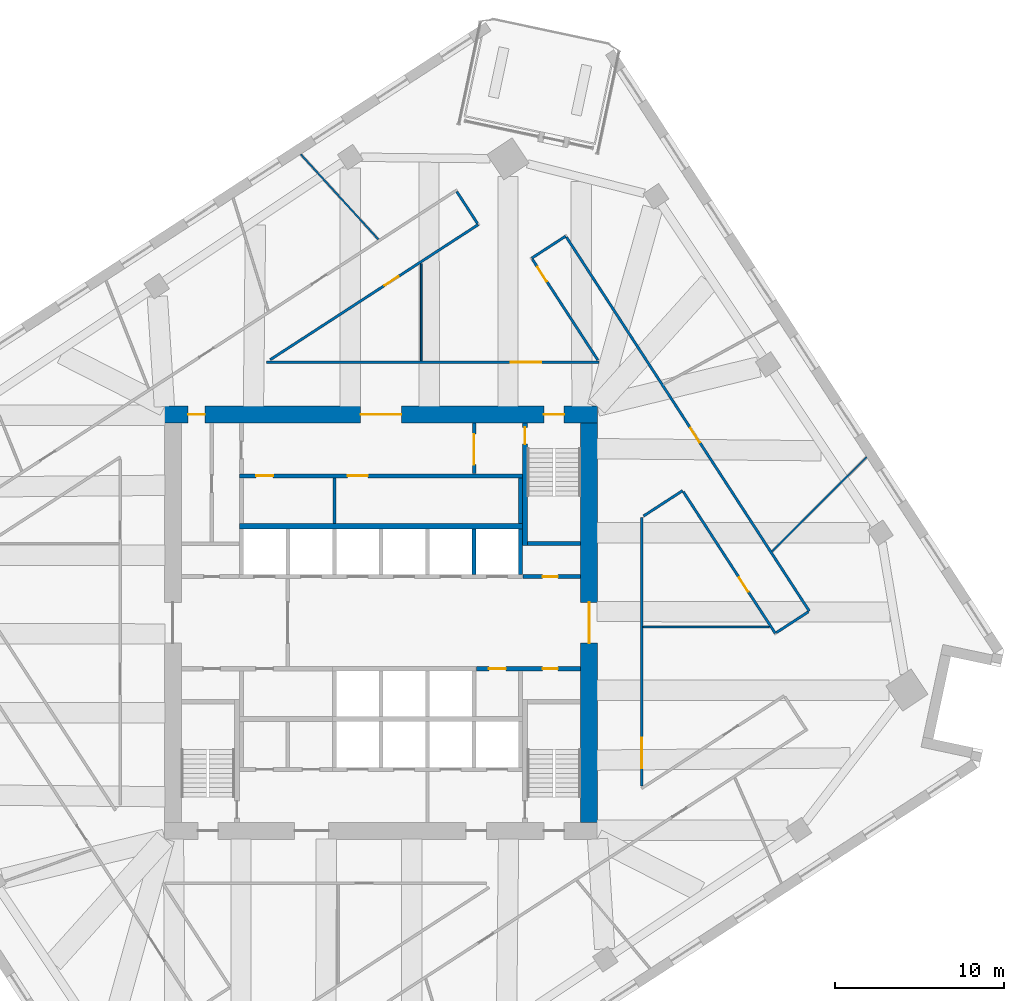
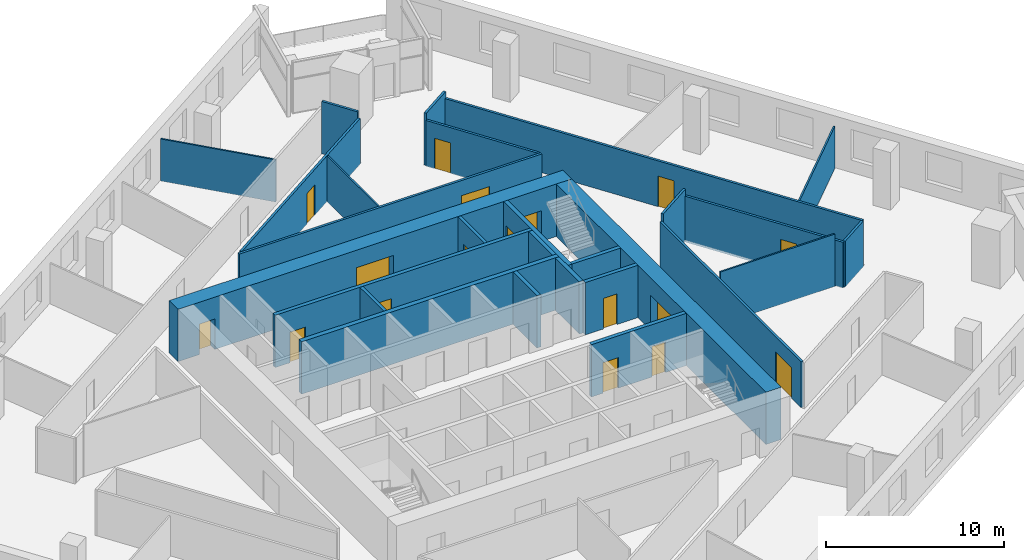
# One storey, part 9 of 12: 27 walls, 17 doors, 17 openings.
"""IFC4 building model written with IfcOpenShell, lengths in metres."""

from ifc_helpers import new_model, si_unit, direction, frame, frame_2d, origin, place, context, subcontext, project, spatial, rectangle, extrude, material, layer, layer_set, type_object, element, fill, save


model = new_model("IFC4")

# Units and contexts
model_context = context("Model", 3, precision=1e-05, world=origin(), true_north=direction((0.0, 1.0)))
body_context = subcontext(model_context, "Body", "Model", "MODEL_VIEW")
ifc_project = project(units=[si_unit("LENGTHUNIT", "METRE"), si_unit("AREAUNIT", "SQUARE_METRE"), si_unit("VOLUMEUNIT", "CUBIC_METRE"), si_unit("PLANEANGLEUNIT", "RADIAN"), si_unit("MASSUNIT", "GRAM", prefix="KILO")], contexts=[model_context])

# Site, building, storey
site_placement = place(None, origin())
site = spatial("IfcSite", under=ifc_project, at=site_placement, CompositionType="ELEMENT")
building_placement = place(site_placement, origin())
building = spatial("IfcBuilding", under=site, at=building_placement, Name="Dilmun Exchange Tower", CompositionType="ELEMENT")
storey_placement = place(building_placement, frame((0.0, 0.0, 155.699951171875)))
storey = spatial("IfcBuildingStorey", under=building, at=storey_placement, Name="L36", CompositionType="ELEMENT", Elevation=155.699951171875)

# Wall
ifc_material_1 = material(Name="Concrete C40/50", Category="concrete")
ifc_layer_1 = layer(ifc_material_1, 0.199951171875)
ifc_layer_set_1 = layer_set([ifc_layer_1], Name="Concrete C40/50")
wall_type_1 = type_object("IfcWallType", Name="Core partition wall 200", PredefinedType="PARTITIONING", material=ifc_layer_set_1)
wall_1_placement = place(storey_placement, frame((-2.75, 5.85498046875, 0.0), z_axis=(0.0, 0.0, 1.0), x_axis=(0.0, 1.0, 0.0)))
element("IfcWall", 1, at=wall_1_placement, inside=storey, type_object=wall_type_1, Name="L36 core partition wall 16", PredefinedType="PARTITIONING", context=body_context, shape_type="SweptSolid", body=[
    extrude(rectangle(XDim=2.68994140625, YDim=0.199951171875, at=frame_2d((1.344970703125, 0.0))), origin(), (0.0, 0.0, 1.0), 3.60009765625),
])

# Wall, opening, door
wall_2_placement = place(storey_placement, frame((5.5, 8.804931640625, 0.0), z_axis=(0.0, 0.0, 1.0), x_axis=(0.0, 1.0, 0.0)))
wall_2 = element("IfcWall", 2, at=wall_2_placement, inside=storey, type_object=wall_type_1, Name="L36 core partition wall 20", PredefinedType="PARTITIONING", context=body_context, shape_type="SweptSolid", body=[
    extrude(rectangle(XDim=2.989990234375, YDim=0.199951171875, at=frame_2d((1.4951171875, 0.0))), origin(), (0.0, 0.0, 1.0), 3.60009765625),
])
opening_1_placement = place(wall_2_placement, frame((0.532470703125, 0.0, 0.0)))
opening_1 = element("IfcOpeningElement", 3, at=opening_1_placement, cuts=wall_2, Name="Opening CD5", PredefinedType="OPENING", context=body_context, shape_type="SweptSolid", body=[
    extrude(rectangle(XDim=1.800048828125, YDim=2.10009765625, at=frame_2d((0.89990234375, 1.050048828125))), frame((0.0, 0.10986328125, 0.0), z_axis=(0.0, -1.0, 0.0), x_axis=(1.0, 0.0, 0.0)), (0.0, 0.0, 1.0), 0.219970703125),
])
ifc_material_2 = material(Name="Fire-rated steel door set", Category="steel")
door_type_1 = type_object("IfcDoorType", Name="Stair exit door 1800x2100", OperationType="SINGLE_SWING_LEFT", PredefinedType="DOOR", material=ifc_material_2)
door_1_placement = place(opening_1_placement, origin())
door_1 = element("IfcDoor", 4, at=door_1_placement, inside=storey, type_object=door_type_1, Name="L36 door Core corridor east", OperationType="SINGLE_SWING_LEFT", OverallHeight=2.10009765625, OverallWidth=1.800048828125, PredefinedType="DOOR", context=body_context, shape_type="SweptSolid", body=[
    extrude(rectangle(XDim=1.800048828125, YDim=2.10009765625, at=frame_2d((0.89990234375, 1.050048828125))), frame((0.0, 0.02490234375, 0.0), z_axis=(0.0, -1.0, 0.0), x_axis=(1.0, 0.0, 0.0)), (0.0, 0.0, 1.0), 0.050048828125),
])
fill(opening_1, door_1)

# Wall, openings, doors
ifc_layer_2 = layer(ifc_material_1, 0.25)
ifc_layer_set_2 = layer_set([ifc_layer_2], Name="Concrete C40/50")
wall_type_2 = type_object("IfcWallType", Name="Core partition wall 250", PredefinedType="PARTITIONING", material=ifc_layer_set_2)
wall_3_placement = place(storey_placement, frame((5.6298828125, -2.72509765625, 0.0), z_axis=(0.0, 0.0, 1.0), x_axis=(1.0, 0.0, 0.0)))
wall_3 = element("IfcWall", 5, at=wall_3_placement, inside=storey, type_object=wall_type_2, Name="L36 core partition wall 09", PredefinedType="PARTITIONING", context=body_context, shape_type="SweptSolid", body=[
    extrude(rectangle(XDim=6.1650390625, YDim=0.25, at=frame_2d((3.08251953125, 0.0))), origin(), (0.0, 0.0, 1.0), 3.60009765625),
])
opening_2_placement = place(wall_3_placement, frame((0.7451171875, 0.0, 0.0)))
opening_2 = element("IfcOpeningElement", 6, at=opening_2_placement, cuts=wall_3, Name="Opening CD4", PredefinedType="OPENING", context=body_context, shape_type="SweptSolid", body=[
    extrude(rectangle(XDim=1.0, YDim=2.10009765625, at=frame_2d((0.5, 1.050048828125))), frame((0.0, 0.135009765625, 0.0), z_axis=(0.0, -1.0, 0.0), x_axis=(1.0, 0.0, 0.0)), (0.0, 0.0, 1.0), 0.27001953125),
])
opening_3_placement = place(wall_3_placement, frame((3.919921875, 0.0, 0.0)))
opening_3 = element("IfcOpeningElement", 7, at=opening_3_placement, cuts=wall_3, Name="Opening CD6", PredefinedType="OPENING", context=body_context, shape_type="SweptSolid", body=[
    extrude(rectangle(XDim=0.89990234375, YDim=2.10009765625, at=frame_2d((0.449951171875, 1.050048828125))), frame((0.0, 0.135009765625, 0.0), z_axis=(0.0, -1.0, 0.0), x_axis=(1.0, 0.0, 0.0)), (0.0, 0.0, 1.0), 0.27001953125),
])
door_type_2 = type_object("IfcDoorType", Name="Core room door 1000x2100", OperationType="SINGLE_SWING_LEFT", PredefinedType="DOOR", material=ifc_material_2)
door_2_placement = place(opening_2_placement, origin())
door_2 = element("IfcDoor", 8, at=door_2_placement, inside=storey, type_object=door_type_2, Name="L36 door Cleaners' store", OperationType="SINGLE_SWING_LEFT", OverallHeight=2.10009765625, OverallWidth=1.0, PredefinedType="DOOR", context=body_context, shape_type="SweptSolid", body=[
    extrude(rectangle(XDim=1.0, YDim=2.10009765625, at=frame_2d((0.5, 1.050048828125))), frame((0.0, 0.02490234375, 0.0), z_axis=(0.0, -1.0, 0.0), x_axis=(1.0, 0.0, 0.0)), (0.0, 0.0, 1.0), 0.050048828125),
])
fill(opening_2, door_2)
door_type_3 = type_object("IfcDoorType", Name="Core room door 900x2100", OperationType="SINGLE_SWING_LEFT", PredefinedType="DOOR", material=ifc_material_2)
door_3_placement = place(opening_3_placement, origin())
door_3 = element("IfcDoor", 9, at=door_3_placement, inside=storey, type_object=door_type_3, Name="L36 door Comms riser", OperationType="SINGLE_SWING_LEFT", OverallHeight=2.10009765625, OverallWidth=0.89990234375, PredefinedType="DOOR", context=body_context, shape_type="SweptSolid", body=[
    extrude(rectangle(XDim=0.89990234375, YDim=2.10009765625, at=frame_2d((0.449951171875, 1.050048828125))), frame((0.0, 0.02490234375, 0.0), z_axis=(0.0, -1.0, 0.0), x_axis=(1.0, 0.0, 0.0)), (0.0, 0.0, 1.0), 0.050048828125),
])
fill(opening_3, door_3)

# Wall, opening, door
wall_4_placement = place(storey_placement, frame((8.3798828125, 2.72509765625, 0.0), z_axis=(0.0, 0.0, 1.0), x_axis=(1.0, 0.0, 0.0)))
wall_4 = element("IfcWall", 10, at=wall_4_placement, inside=storey, type_object=wall_type_2, Name="L36 core partition wall 12", PredefinedType="PARTITIONING", context=body_context, shape_type="SweptSolid", body=[
    extrude(rectangle(XDim=3.4150390625, YDim=0.25, at=frame_2d((1.70751953125, 0.0))), origin(), (0.0, 0.0, 1.0), 3.60009765625),
])
opening_4_placement = place(wall_4_placement, frame((1.169921875, 0.0, 0.0)))
opening_4 = element("IfcOpeningElement", 11, at=opening_4_placement, cuts=wall_4, Name="Opening CD6", PredefinedType="OPENING", context=body_context, shape_type="SweptSolid", body=[
    extrude(rectangle(XDim=0.89990234375, YDim=2.10009765625, at=frame_2d((0.449951171875, 1.050048828125))), frame((0.0, 0.135009765625, 0.0), z_axis=(0.0, -1.0, 0.0), x_axis=(1.0, 0.0, 0.0)), (0.0, 0.0, 1.0), 0.27001953125),
])
door_4_placement = place(opening_4_placement, origin())
door_4 = element("IfcDoor", 12, at=door_4_placement, inside=storey, type_object=door_type_3, Name="L36 door Electrical riser", OperationType="SINGLE_SWING_LEFT", OverallHeight=2.10009765625, OverallWidth=0.89990234375, PredefinedType="DOOR", context=body_context, shape_type="SweptSolid", body=[
    extrude(rectangle(XDim=0.89990234375, YDim=2.10009765625, at=frame_2d((0.449951171875, 1.050048828125))), frame((0.0, 0.02490234375, 0.0), z_axis=(0.0, -1.0, 0.0), x_axis=(1.0, 0.0, 0.0)), (0.0, 0.0, 1.0), 0.050048828125),
])
fill(opening_4, door_4)

# Wall
wall_5_placement = place(storey_placement, frame((8.25, 5.85498046875, 0.0), z_axis=(0.0, 0.0, 1.0), x_axis=(0.0, 1.0, 0.0)))
element("IfcWall", 13, at=wall_5_placement, inside=storey, type_object=wall_type_2, Name="L36 core partition wall 17", PredefinedType="PARTITIONING", context=body_context, shape_type="SweptSolid", body=[
    extrude(rectangle(XDim=2.68994140625, YDim=0.25, at=frame_2d((1.344970703125, 0.0))), origin(), (0.0, 0.0, 1.0), 3.60009765625),
])

# Wall, openings, doors
wall_6_placement = place(storey_placement, frame((-8.35009765625, 8.675048828125, 0.0), z_axis=(0.0, 0.0, 1.0), x_axis=(1.0, 0.0, 0.0)))
wall_6 = element("IfcWall", 14, at=wall_6_placement, inside=storey, type_object=wall_type_2, Name="L36 core partition wall 18", PredefinedType="PARTITIONING", context=body_context, shape_type="SweptSolid", body=[
    extrude(rectangle(XDim=16.72021484375, YDim=0.25, at=frame_2d((8.360107421875, 0.0))), origin(), (0.0, 0.0, 1.0), 3.60009765625),
])
opening_5_placement = place(wall_6_placement, frame((0.97509765625, 0.0, 0.0)))
opening_5 = element("IfcOpeningElement", 15, at=opening_5_placement, cuts=wall_6, Name="Opening CD4", PredefinedType="OPENING", context=body_context, shape_type="SweptSolid", body=[
    extrude(rectangle(XDim=1.0, YDim=2.10009765625, at=frame_2d((0.5, 1.050048828125))), frame((0.0, 0.135009765625, 0.0), z_axis=(0.0, -1.0, 0.0), x_axis=(1.0, 0.0, 0.0)), (0.0, 0.0, 1.0), 0.27001953125),
])
opening_6_placement = place(wall_6_placement, frame((6.375, 0.0, 0.0)))
opening_6 = element("IfcOpeningElement", 16, at=opening_6_placement, cuts=wall_6, Name="Opening CD3", PredefinedType="OPENING", context=body_context, shape_type="SweptSolid", body=[
    extrude(rectangle(XDim=1.199951171875, YDim=2.10009765625, at=frame_2d((0.60009765625, 1.050048828125))), frame((0.0, 0.135009765625, 0.0), z_axis=(0.0, -1.0, 0.0), x_axis=(1.0, 0.0, 0.0)), (0.0, 0.0, 1.0), 0.27001953125),
])
door_5_placement = place(opening_5_placement, origin())
door_5 = element("IfcDoor", 17, at=door_5_placement, inside=storey, type_object=door_type_2, Name="L36 door Switch room", OperationType="SINGLE_SWING_LEFT", OverallHeight=2.10009765625, OverallWidth=1.0, PredefinedType="DOOR", context=body_context, shape_type="SweptSolid", body=[
    extrude(rectangle(XDim=1.0, YDim=2.10009765625, at=frame_2d((0.5, 1.050048828125))), frame((0.0, 0.02490234375, 0.0), z_axis=(0.0, -1.0, 0.0), x_axis=(1.0, 0.0, 0.0)), (0.0, 0.0, 1.0), 0.050048828125),
])
fill(opening_5, door_5)
door_type_4 = type_object("IfcDoorType", Name="Stair exit door 1200x2100", OperationType="SINGLE_SWING_LEFT", PredefinedType="DOOR", material=ifc_material_2)
door_6_placement = place(opening_6_placement, origin())
door_6 = element("IfcDoor", 18, at=door_6_placement, inside=storey, type_object=door_type_4, Name="L36 door Quiet working room", OperationType="SINGLE_SWING_LEFT", OverallHeight=2.10009765625, OverallWidth=1.199951171875, PredefinedType="DOOR", context=body_context, shape_type="SweptSolid", body=[
    extrude(rectangle(XDim=1.199951171875, YDim=2.10009765625, at=frame_2d((0.60009765625, 1.050048828125))), frame((0.0, 0.02490234375, 0.0), z_axis=(0.0, -1.0, 0.0), x_axis=(1.0, 0.0, 0.0)), (0.0, 0.0, 1.0), 0.050048828125),
])
fill(opening_6, door_6)

ifc_material_3 = material(Name="Concrete C70/85", Category="concrete")
ifc_layer_3 = layer(ifc_material_3, 1.0)
ifc_layer_set_3 = layer_set([ifc_layer_3], Name="Concrete C70/85")
wall_type_3 = type_object("IfcWallType", Name="Core shear wall 1000 Concrete C70/85", PredefinedType="SHEAR", material=ifc_layer_set_3)
wall_7_placement = place(storey_placement, frame((-12.800048828125, 12.300048828125, 0.0), z_axis=(0.0, 0.0, 1.0), x_axis=(1.0, 0.0, 0.0)))
wall_7 = element("IfcWall", 19, at=wall_7_placement, inside=storey, type_object=wall_type_3, Name="L36 core shear wall N", PredefinedType="SHEAR", context=body_context, shape_type="SweptSolid", body=[
    extrude(rectangle(XDim=25.60009765625, YDim=1.0, at=frame_2d((12.800048828125, 0.0))), origin(), (0.0, 0.0, 1.0), 3.60009765625),
])
opening_7_placement = place(wall_7_placement, frame((11.60009765625, 0.0, 0.0)))
opening_7 = element("IfcOpeningElement", 20, at=opening_7_placement, cuts=wall_7, Name="Opening CD1", PredefinedType="OPENING", context=body_context, shape_type="SweptSolid", body=[
    extrude(rectangle(XDim=2.39990234375, YDim=2.39990234375, at=frame_2d((1.199951171875, 1.199951171875))), frame((0.0, 0.510009765625, 0.0), z_axis=(0.0, -1.0, 0.0), x_axis=(1.0, 0.0, 0.0)), (0.0, 0.0, 1.0), 1.02001953125),
])
opening_8_placement = place(wall_7_placement, frame((22.425048828125, 0.0, 0.0)))
opening_8 = element("IfcOpeningElement", 21, at=opening_8_placement, cuts=wall_7, Name="Opening CD3", PredefinedType="OPENING", context=body_context, shape_type="SweptSolid", body=[
    extrude(rectangle(XDim=1.199951171875, YDim=2.10009765625, at=frame_2d((0.60009765625, 1.050048828125))), frame((0.0, 0.510009765625, 0.0), z_axis=(0.0, -1.0, 0.0), x_axis=(1.0, 0.0, 0.0)), (0.0, 0.0, 1.0), 1.02001953125),
])
opening_9_placement = place(wall_7_placement, frame((1.39990234375, 0.0, 0.0)))
opening_9 = element("IfcOpeningElement", 22, at=opening_9_placement, cuts=wall_7, Name="Opening CD4", PredefinedType="OPENING", context=body_context, shape_type="SweptSolid", body=[
    extrude(rectangle(XDim=1.0, YDim=2.10009765625, at=frame_2d((0.5, 1.050048828125))), frame((0.0, 0.510009765625, 0.0), z_axis=(0.0, -1.0, 0.0), x_axis=(1.0, 0.0, 0.0)), (0.0, 0.0, 1.0), 1.02001953125),
])
door_type_5 = type_object("IfcDoorType", Name="Core lobby door 2400x2400", OperationType="DOUBLE_DOOR_DOUBLE_SWING", PredefinedType="DOOR", material=ifc_material_2)
door_7_placement = place(opening_7_placement, origin())
door_7 = element("IfcDoor", 23, at=door_7_placement, inside=storey, type_object=door_type_5, Name="L36 door North lift lobby", OperationType="SINGLE_SWING_LEFT", OverallHeight=2.39990234375, OverallWidth=2.39990234375, PredefinedType="DOOR", context=body_context, shape_type="SweptSolid", body=[
    extrude(rectangle(XDim=2.39990234375, YDim=2.39990234375, at=frame_2d((1.199951171875, 1.199951171875))), frame((0.0, 0.02490234375, 0.0), z_axis=(0.0, -1.0, 0.0), x_axis=(1.0, 0.0, 0.0)), (0.0, 0.0, 1.0), 0.050048828125),
])
fill(opening_7, door_7)
door_8_placement = place(opening_9_placement, origin())
door_8 = element("IfcDoor", 24, at=door_8_placement, inside=storey, type_object=door_type_2, Name="L36 door North-west core rooms", OperationType="SINGLE_SWING_LEFT", OverallHeight=2.10009765625, OverallWidth=1.0, PredefinedType="DOOR", context=body_context, shape_type="SweptSolid", body=[
    extrude(rectangle(XDim=1.0, YDim=2.10009765625, at=frame_2d((0.5, 1.050048828125))), frame((0.0, 0.02490234375, 0.0), z_axis=(0.0, -1.0, 0.0), x_axis=(1.0, 0.0, 0.0)), (0.0, 0.0, 1.0), 0.050048828125),
])
fill(opening_9, door_8)
door_9_placement = place(opening_8_placement, origin())
door_9 = element("IfcDoor", 25, at=door_9_placement, inside=storey, type_object=door_type_4, Name="L36 door Stair ST1", OperationType="SINGLE_SWING_LEFT", OverallHeight=2.10009765625, OverallWidth=1.199951171875, PredefinedType="DOOR", context=body_context, shape_type="SweptSolid", body=[
    extrude(rectangle(XDim=1.199951171875, YDim=2.10009765625, at=frame_2d((0.60009765625, 1.050048828125))), frame((0.0, 0.02490234375, 0.0), z_axis=(0.0, -1.0, 0.0), x_axis=(1.0, 0.0, 0.0)), (0.0, 0.0, 1.0), 0.050048828125),
])
fill(opening_8, door_9)

# Wall, opening, door
wall_8_placement = place(storey_placement, frame((12.300048828125, -11.800048828125, 0.0), z_axis=(0.0, 0.0, 1.0), x_axis=(0.0, 1.0, 0.0)))
wall_8 = element("IfcWall", 26, at=wall_8_placement, inside=storey, type_object=wall_type_3, Name="L36 core shear wall E", PredefinedType="SHEAR", context=body_context, shape_type="SweptSolid", body=[
    extrude(rectangle(XDim=23.60009765625, YDim=1.0, at=frame_2d((11.800048828125, 0.0))), origin(), (0.0, 0.0, 1.0), 3.60009765625),
])
opening_10_placement = place(wall_8_placement, frame((10.60009765625, 0.0, 0.0)))
opening_10 = element("IfcOpeningElement", 27, at=opening_10_placement, cuts=wall_8, Name="Opening CD1", PredefinedType="OPENING", context=body_context, shape_type="SweptSolid", body=[
    extrude(rectangle(XDim=2.39990234375, YDim=2.39990234375, at=frame_2d((1.199951171875, 1.199951171875))), frame((0.0, 0.510009765625, 0.0), z_axis=(0.0, -1.0, 0.0), x_axis=(1.0, 0.0, 0.0)), (0.0, 0.0, 1.0), 1.02001953125),
])
door_10_placement = place(opening_10_placement, origin())
door_10 = element("IfcDoor", 28, at=door_10_placement, inside=storey, type_object=door_type_5, Name="L36 door Central lift lobby", OperationType="SINGLE_SWING_LEFT", OverallHeight=2.39990234375, OverallWidth=2.39990234375, PredefinedType="DOOR", context=body_context, shape_type="SweptSolid", body=[
    extrude(rectangle(XDim=2.39990234375, YDim=2.39990234375, at=frame_2d((1.199951171875, 1.199951171875))), frame((0.0, 0.02490234375, 0.0), z_axis=(0.0, -1.0, 0.0), x_axis=(1.0, 0.0, 0.0)), (0.0, 0.0, 1.0), 0.050048828125),
])
fill(opening_10, door_10)

ifc_material_4 = material(Name="Corridor wall 150")
ifc_layer_4 = layer(ifc_material_4, 0.14990234375)
ifc_layer_set_4 = layer_set([ifc_layer_4], Name="Corridor wall 150")
wall_type_4 = type_object("IfcWallType", Name="Corridor wall 150", PredefinedType="PARTITIONING", material=ifc_layer_set_4)
wall_9_placement = place(storey_placement, frame((-6.762939453125, 15.39990234375, 0.0), z_axis=(0.0, 0.0, 1.0), x_axis=(1.0, 0.0, 0.0)))
wall_9 = element("IfcWall", 29, at=wall_9_placement, inside=storey, type_object=wall_type_4, Name="Corridor wall", PredefinedType="PARTITIONING", context=body_context, shape_type="SweptSolid", body=[
    extrude(rectangle(XDim=19.654052734375, YDim=0.14990234375, at=frame_2d((9.8271484375, 0.0))), origin(), (0.0, 0.0, 1.0), 3.150146484375),
])
opening_11_placement = place(wall_9_placement, frame((14.444580078125, 0.0, 0.0)))
opening_11 = element("IfcOpeningElement", 30, at=opening_11_placement, cuts=wall_9, Name="Opening TF36-D13", PredefinedType="OPENING", context=body_context, shape_type="SweptSolid", body=[
    extrude(rectangle(XDim=1.800048828125, YDim=2.10009765625, at=frame_2d((0.89990234375, 1.050048828125))), frame((0.0, 0.0849609375, 0.0), z_axis=(0.0, -1.0, 0.0), x_axis=(1.0, 0.0, 0.0)), (0.0, 0.0, 1.0), 0.169921875),
])
ifc_material_5 = material(Name="Fire door pair 1800 x 2100")
door_type_6 = type_object("IfcDoorType", Name="Fire door pair 1800 x 2100", OperationType="NOTDEFINED", PredefinedType="DOOR", material=ifc_material_5)
door_11_placement = place(opening_11_placement, origin())
door_11 = element("IfcDoor", 31, at=door_11_placement, inside=storey, type_object=door_type_6, Name="Door TF36-D13", OperationType="DOUBLE_DOOR_SINGLE_SWING", OverallHeight=2.10009765625, OverallWidth=1.800048828125, PredefinedType="DOOR", context=body_context, shape_type="SweptSolid", body=[
    extrude(rectangle(XDim=1.800048828125, YDim=2.10009765625, at=frame_2d((0.89990234375, 1.050048828125))), frame((0.0, 0.02490234375, 0.0), z_axis=(0.0, -1.0, 0.0), x_axis=(1.0, 0.0, 0.0)), (0.0, 0.0, 1.0), 0.050048828125),
])
fill(opening_11, door_11)

wall_10_placement = place(storey_placement, frame((-6.55078125, 15.537841796875, 0.0), z_axis=(0.0, 0.0, 1.0), x_axis=(0.838658107211, 0.544658222383, 0.0)))
wall_10 = element("IfcWall", 32, at=wall_10_placement, inside=storey, type_object=wall_type_4, Name="Corridor wall", PredefinedType="PARTITIONING", context=body_context, shape_type="SweptSolid", body=[
    extrude(rectangle(XDim=14.66259765625, YDim=0.14990234375, at=frame_2d((7.331298828125, 0.0))), origin(), (0.0, 0.0, 1.0), 3.150146484375),
])
opening_12_placement = place(wall_10_placement, frame((8.050048828125, 0.0, 0.0)))
opening_12 = element("IfcOpeningElement", 33, at=opening_12_placement, cuts=wall_10, Name="Opening TF36-D10", PredefinedType="OPENING", context=body_context, shape_type="SweptSolid", body=[
    extrude(rectangle(XDim=1.0, YDim=2.10009765625, at=frame_2d((0.5, 1.050048828125))), frame((0.0, 0.0849609375, 0.0), z_axis=(0.0, -1.0, 0.0), x_axis=(1.0, 0.0, 0.0)), (0.0, 0.0, 1.0), 0.169921875),
])
ifc_material_6 = material(Name="Fire door 1000 x 2100")
door_type_7 = type_object("IfcDoorType", Name="Fire door 1000 x 2100", OperationType="NOTDEFINED", PredefinedType="DOOR", material=ifc_material_6)
door_12_placement = place(opening_12_placement, frame((1.0, 0.0, 0.0), z_axis=(0.0, 0.0, 1.0), x_axis=(-1.0, 0.0, 0.0)))
door_12 = element("IfcDoor", 34, at=door_12_placement, inside=storey, type_object=door_type_7, Name="Door TF36-D10", OperationType="SINGLE_SWING_RIGHT", OverallHeight=2.10009765625, OverallWidth=1.0, PredefinedType="DOOR", context=body_context, shape_type="SweptSolid", body=[
    extrude(rectangle(XDim=1.0, YDim=2.10009765625, at=frame_2d((0.5, 1.050048828125))), frame((0.0, 0.02490234375, 0.0), z_axis=(0.0, -1.0, 0.0), x_axis=(1.0, 0.0, 0.0)), (0.0, 0.0, 1.0), 0.050048828125),
])
fill(opening_12, door_12)

# Walls
wall_11_placement = place(storey_placement, frame((4.479736328125, 25.47412109375, 0.0), z_axis=(0.0, 0.0, 1.0), x_axis=(0.544568768869, -0.83871619513, 0.0)))
element("IfcWall", 35, at=wall_11_placement, inside=storey, type_object=wall_type_4, Name="Corridor wall", PredefinedType="PARTITIONING", context=body_context, shape_type="SweptSolid", body=[
    extrude(rectangle(XDim=2.25, YDim=0.14990234375, at=frame_2d((1.125, 0.0))), origin(), (0.0, 0.0, 1.0), 3.60009765625),
])
wall_12_placement = place(storey_placement, frame((8.905029296875, 21.5390625, 0.0), z_axis=(0.0, 0.0, 1.0), x_axis=(0.838613296719, 0.544727214821, 0.0)))
element("IfcWall", 36, at=wall_12_placement, inside=storey, type_object=wall_type_4, Name="Corridor wall", PredefinedType="PARTITIONING", context=body_context, shape_type="SweptSolid", body=[
    extrude(rectangle(XDim=2.399169921875, YDim=0.14990234375, at=frame_2d((1.19970703125, 0.0))), origin(), (0.0, 0.0, 1.0), 3.60009765625),
])

# Wall, opening, door
wall_13_placement = place(storey_placement, frame((8.94580078125, 21.47607421875, 0.0), z_axis=(0.0, 0.0, 1.0), x_axis=(0.544591006373, -0.838701756155, 0.0)))
wall_13 = element("IfcWall", 37, at=wall_13_placement, inside=storey, type_object=wall_type_4, Name="Corridor wall", PredefinedType="PARTITIONING", context=body_context, shape_type="SweptSolid", body=[
    extrude(rectangle(XDim=7.1064453125, YDim=0.14990234375, at=frame_2d((3.55322265625, 0.0))), origin(), (0.0, 0.0, 1.0), 3.150146484375),
])
opening_13_placement = place(wall_13_placement, frame((0.550048828125, 0.0, 0.0)))
opening_13 = element("IfcOpeningElement", 38, at=opening_13_placement, cuts=wall_13, Name="Opening TF36-D14", PredefinedType="OPENING", context=body_context, shape_type="SweptSolid", body=[
    extrude(rectangle(XDim=1.0, YDim=2.10009765625, at=frame_2d((0.5, 1.050048828125))), frame((0.0, 0.0849609375, 0.0), z_axis=(0.0, -1.0, 0.0), x_axis=(1.0, 0.0, 0.0)), (0.0, 0.0, 1.0), 0.169921875),
])
door_13_placement = place(opening_13_placement, frame((1.0, 0.0, 0.0), z_axis=(0.0, 0.0, 1.0), x_axis=(-1.0, 0.0, 0.0)))
door_13 = element("IfcDoor", 39, at=door_13_placement, inside=storey, type_object=door_type_7, Name="Door TF36-D14", OperationType="SINGLE_SWING_RIGHT", OverallHeight=2.10009765625, OverallWidth=1.0, PredefinedType="DOOR", context=body_context, shape_type="SweptSolid", body=[
    extrude(rectangle(XDim=1.0, YDim=2.10009765625, at=frame_2d((0.5, 1.050048828125))), frame((0.0, 0.02490234375, 0.0), z_axis=(0.0, -1.0, 0.0), x_axis=(1.0, 0.0, 0.0)), (0.0, 0.0, 1.0), 0.050048828125),
])
fill(opening_13, door_13)

wall_14_placement = place(storey_placement, frame((10.9580078125, 22.783203125, 0.0), z_axis=(0.0, 0.0, 1.0), x_axis=(0.544655201926, -0.838660068809, 0.0)))
wall_14 = element("IfcWall", 40, at=wall_14_placement, inside=storey, type_object=wall_type_4, Name="Corridor wall", PredefinedType="PARTITIONING", context=body_context, shape_type="SweptSolid", body=[
    extrude(rectangle(XDim=26.354248046875, YDim=0.14990234375, at=frame_2d((13.17724609375, 0.0))), origin(), (0.0, 0.0, 1.0), 3.150146484375),
])
opening_14_placement = place(wall_14_placement, frame((13.459716796875, 0.0, 0.0)))
opening_14 = element("IfcOpeningElement", 41, at=opening_14_placement, cuts=wall_14, Name="Opening TF36-D17", PredefinedType="OPENING", context=body_context, shape_type="SweptSolid", body=[
    extrude(rectangle(XDim=1.0, YDim=2.10009765625, at=frame_2d((0.5, 1.050048828125))), frame((0.0, 0.0849609375, 0.0), z_axis=(0.0, -1.0, 0.0), x_axis=(1.0, 0.0, 0.0)), (0.0, 0.0, 1.0), 0.169921875),
])
door_14_placement = place(opening_14_placement, origin())
door_14 = element("IfcDoor", 42, at=door_14_placement, inside=storey, type_object=door_type_7, Name="Door TF36-D17", OperationType="SINGLE_SWING_RIGHT", OverallHeight=2.10009765625, OverallWidth=1.0, PredefinedType="DOOR", context=body_context, shape_type="SweptSolid", body=[
    extrude(rectangle(XDim=1.0, YDim=2.10009765625, at=frame_2d((0.5, 1.050048828125))), frame((0.0, 0.02490234375, 0.0), z_axis=(0.0, -1.0, 0.0), x_axis=(1.0, 0.0, 0.0)), (0.0, 0.0, 1.0), 0.050048828125),
])
fill(opening_14, door_14)

wall_15_placement = place(storey_placement, frame((15.39990234375, -9.65283203125, 0.0), z_axis=(0.0, 0.0, 1.0), x_axis=(0.0, 1.0, 0.0)))
wall_15 = element("IfcWall", 43, at=wall_15_placement, inside=storey, type_object=wall_type_4, Name="Corridor wall", PredefinedType="PARTITIONING", context=body_context, shape_type="SweptSolid", body=[
    extrude(rectangle(XDim=15.8818359375, YDim=0.14990234375, at=frame_2d((7.94091796875, 0.0))), origin(), (0.0, 0.0, 1.0), 3.150146484375),
])
opening_15_placement = place(wall_15_placement, frame((1.050048828125, 0.0, 0.0)))
opening_15 = element("IfcOpeningElement", 44, at=opening_15_placement, cuts=wall_15, Name="Opening TF36-D18", PredefinedType="OPENING", context=body_context, shape_type="SweptSolid", body=[
    extrude(rectangle(XDim=1.800048828125, YDim=2.10009765625, at=frame_2d((0.89990234375, 1.050048828125))), frame((0.0, 0.0849609375, 0.0), z_axis=(0.0, -1.0, 0.0), x_axis=(1.0, 0.0, 0.0)), (0.0, 0.0, 1.0), 0.169921875),
])
door_15_placement = place(opening_15_placement, frame((1.800048828125, 0.0, 0.0), z_axis=(0.0, 0.0, 1.0), x_axis=(-1.0, 0.0, 0.0)))
door_15 = element("IfcDoor", 45, at=door_15_placement, inside=storey, type_object=door_type_6, Name="Door TF36-D18", OperationType="DOUBLE_DOOR_SINGLE_SWING", OverallHeight=2.10009765625, OverallWidth=1.800048828125, PredefinedType="DOOR", context=body_context, shape_type="SweptSolid", body=[
    extrude(rectangle(XDim=1.800048828125, YDim=2.10009765625, at=frame_2d((0.89990234375, 1.050048828125))), frame((0.0, 0.02490234375, 0.0), z_axis=(0.0, -1.0, 0.0), x_axis=(1.0, 0.0, 0.0)), (0.0, 0.0, 1.0), 0.050048828125),
])
fill(opening_15, door_15)

# Wall
wall_16_placement = place(storey_placement, frame((15.515869140625, 6.30419921875, 0.0), z_axis=(0.0, 0.0, 1.0), x_axis=(0.838528716493, 0.544857404846, 0.0)))
element("IfcWall", 46, at=wall_16_placement, inside=storey, type_object=wall_type_4, Name="Corridor wall", PredefinedType="PARTITIONING", context=body_context, shape_type="SweptSolid", body=[
    extrude(rectangle(XDim=2.752685546875, YDim=0.14990234375, at=frame_2d((1.37646484375, 0.0))), origin(), (0.0, 0.0, 1.0), 3.60009765625),
])

# Wall, opening, door
wall_17_placement = place(storey_placement, frame((17.864990234375, 7.7412109375, 0.0), z_axis=(0.0, 0.0, 1.0), x_axis=(0.544664903491, -0.838653768193, 0.0)))
wall_17 = element("IfcWall", 47, at=wall_17_placement, inside=storey, type_object=wall_type_4, Name="Corridor wall", PredefinedType="PARTITIONING", context=body_context, shape_type="SweptSolid", body=[
    extrude(rectangle(XDim=9.976806640625, YDim=0.14990234375, at=frame_2d((4.98828125, 0.0))), origin(), (0.0, 0.0, 1.0), 3.150146484375),
])
opening_16_placement = place(wall_17_placement, frame((6.050048828125, 0.0, 0.0)))
opening_16 = element("IfcOpeningElement", 48, at=opening_16_placement, cuts=wall_17, Name="Opening TF36-D16", PredefinedType="OPENING", context=body_context, shape_type="SweptSolid", body=[
    extrude(rectangle(XDim=1.0, YDim=2.10009765625, at=frame_2d((0.5, 1.050048828125))), frame((0.0, 0.0849609375, 0.0), z_axis=(0.0, -1.0, 0.0), x_axis=(1.0, 0.0, 0.0)), (0.0, 0.0, 1.0), 0.169921875),
])
door_16_placement = place(opening_16_placement, frame((1.0, 0.0, 0.0), z_axis=(0.0, 0.0, 1.0), x_axis=(-1.0, 0.0, 0.0)))
door_16 = element("IfcDoor", 49, at=door_16_placement, inside=storey, type_object=door_type_7, Name="Door TF36-D16", OperationType="SINGLE_SWING_RIGHT", OverallHeight=2.10009765625, OverallWidth=1.0, PredefinedType="DOOR", context=body_context, shape_type="SweptSolid", body=[
    extrude(rectangle(XDim=1.0, YDim=2.10009765625, at=frame_2d((0.5, 1.050048828125))), frame((0.0, 0.02490234375, 0.0), z_axis=(0.0, -1.0, 0.0), x_axis=(1.0, 0.0, 0.0)), (0.0, 0.0, 1.0), 0.050048828125),
])
fill(opening_16, door_16)

# Walls
wall_18_placement = place(storey_placement, frame((23.36181640625, -0.585205078125, 0.0), z_axis=(0.0, 0.0, 1.0), x_axis=(0.83871619513, 0.544568768869, 0.0)))
element("IfcWall", 50, at=wall_18_placement, inside=storey, type_object=wall_type_4, Name="Corridor wall", PredefinedType="PARTITIONING", context=body_context, shape_type="SweptSolid", body=[
    extrude(rectangle(XDim=2.25, YDim=0.14990234375, at=frame_2d((1.125, 0.0))), origin(), (0.0, 0.0, 1.0), 3.150146484375),
])
ifc_layer_5 = layer(ifc_material_1, 0.300048828125)
ifc_layer_set_5 = layer_set([ifc_layer_5], Name="Concrete C40/50")
wall_type_5 = type_object("IfcWallType", Name="Lift shaft shared wall 300", PredefinedType="SOLIDWALL", material=ifc_layer_set_5)
wall_19_placement = place(storey_placement, frame((-8.375, 5.699951171875, 0.0), z_axis=(0.0, 0.0, 1.0), x_axis=(1.0, 0.0, 0.0)))
element("IfcWall", 51, at=wall_19_placement, inside=storey, type_object=wall_type_5, Name="L36 lift shaft rear wall N", PredefinedType="SOLIDWALL", context=body_context, shape_type="SweptSolid", body=[
    extrude(rectangle(XDim=16.75, YDim=0.300048828125, at=frame_2d((8.375, 0.0))), origin(), (0.0, 0.0, 1.0), 3.60009765625),
])
ifc_layer_6 = layer(ifc_material_1, 0.25)
ifc_layer_set_6 = layer_set([ifc_layer_6], Name="Concrete C40/50")
wall_type_6 = type_object("IfcWallType", Name="Lift shaft wall 250", PredefinedType="SOLIDWALL", material=ifc_layer_set_6)
for number, where, z_axis, x_axis, name in (
    (52, (5.5, 2.85009765625, 0.0), (0.0, 0.0, 1.0), (0.0, 1.0, 0.0), "L36 lift shaft divider N15"),
    (53, (8.25, 2.85009765625, 0.0), (0.0, 0.0, 1.0), (0.0, 1.0, 0.0), "L36 lift shaft divider N16"),
):
    element("IfcWall", number, at=place(storey_placement, frame(where, z_axis=z_axis, x_axis=x_axis)), inside=storey, type_object=wall_type_6, Name=name, PredefinedType="SOLIDWALL", context=body_context, shape_type="SweptSolid", body=[
        extrude(rectangle(XDim=2.699951171875, YDim=0.25, at=frame_2d((1.35009765625, 0.0))), origin(), (0.0, 0.0, 1.0), 3.60009765625),
    ])
ifc_material_7 = material(Name="Partition 100")
ifc_layer_7 = layer(ifc_material_7, 0.10009765625)
ifc_layer_set_7 = layer_set([ifc_layer_7], Name="Partition 100")
wall_type_7 = type_object("IfcWallType", Name="Partition 100", PredefinedType="PARTITIONING", material=ifc_layer_set_7)
wall_20_placement = place(storey_placement, frame((-4.74365234375, 27.679931640625, 0.0), z_axis=(0.0, 0.0, 1.0), x_axis=(0.673918024529, -0.738806128977, 0.0)))
element("IfcWall", 54, at=wall_20_placement, inside=storey, type_object=wall_type_7, Name="Partition", PredefinedType="PARTITIONING", context=body_context, shape_type="SweptSolid", body=[
    extrude(rectangle(XDim=6.806396484375, YDim=0.10009765625, at=frame_2d((3.4033203125, 0.0))), origin(), (0.0, 0.0, 1.0), 2.900146484375),
])
wall_21_placement = place(storey_placement, frame((2.382080078125, 15.47509765625, 0.0), z_axis=(0.0, 0.0, 1.0), x_axis=(0.0, 1.0, 0.0)))
element("IfcWall", 55, at=wall_21_placement, inside=storey, type_object=wall_type_7, Name="Partition", PredefinedType="PARTITIONING", context=body_context, shape_type="SweptSolid", body=[
    extrude(rectangle(XDim=5.741943359375, YDim=0.10009765625, at=frame_2d((2.87109375, 0.0))), origin(), (0.0, 0.0, 1.0), 3.150146484375),
])
wall_22_placement = place(storey_placement, frame((15.47509765625, -0.2509765625, 0.0), z_axis=(0.0, 0.0, 1.0), x_axis=(1.0, 0.0, 0.0)))
element("IfcWall", 56, at=wall_22_placement, inside=storey, type_object=wall_type_7, Name="Partition", PredefinedType="PARTITIONING", context=body_context, shape_type="SweptSolid", body=[
    extrude(rectangle(XDim=7.4580078125, YDim=0.10009765625, at=frame_2d((3.72900390625, 0.0))), origin(), (0.0, 0.0, 1.0), 3.60009765625),
])
wall_23_placement = place(storey_placement, frame((23.11279296875, 4.223388671875, 0.0), z_axis=(0.0, 0.0, 1.0), x_axis=(0.708669203066, 0.705540899329, 0.0)))
element("IfcWall", 57, at=wall_23_placement, inside=storey, type_object=wall_type_7, Name="Partition", PredefinedType="PARTITIONING", context=body_context, shape_type="SweptSolid", body=[
    extrude(rectangle(XDim=7.88232421875, YDim=0.10009765625, at=frame_2d((3.941162109375, 0.0))), origin(), (0.0, 0.0, 1.0), 2.900146484375),
])
ifc_layer_8 = layer(ifc_material_1, 0.25)
ifc_layer_set_8 = layer_set([ifc_layer_8], Name="Concrete C40/50")
wall_type_8 = type_object("IfcWallType", Name="Stair end wall 250", PredefinedType="SOLIDWALL", material=ifc_layer_set_8)
wall_24_placement = place(storey_placement, frame((8.64990234375, 4.675048828125, 0.0), z_axis=(0.0, 0.0, 1.0), x_axis=(1.0, 0.0, 0.0)))
element("IfcWall", 58, at=wall_24_placement, inside=storey, type_object=wall_type_8, Name="L36 ST1 far wall", PredefinedType="SOLIDWALL", context=body_context, shape_type="SweptSolid", body=[
    extrude(rectangle(XDim=3.150146484375, YDim=0.25, at=frame_2d((1.5751953125, 0.0))), origin(), (0.0, 0.0, 1.0), 3.60009765625),
])

# Wall, opening, door
ifc_layer_9 = layer(ifc_material_1, 0.27490234375)
ifc_layer_set_9 = layer_set([ifc_layer_9], Name="Concrete C40/50")
wall_type_9 = type_object("IfcWallType", Name="Stair wall 275", PredefinedType="SOLIDWALL", material=ifc_layer_set_9)
wall_25_placement = place(storey_placement, frame((8.512451171875, 4.550048828125, 0.0), z_axis=(0.0, 0.0, 1.0), x_axis=(0.0, 1.0, 0.0)))
wall_25 = element("IfcWall", 59, at=wall_25_placement, inside=storey, type_object=wall_type_9, Name="L36 ST1 wall to lift block", PredefinedType="SOLIDWALL", context=body_context, shape_type="SweptSolid", body=[
    extrude(rectangle(XDim=7.25, YDim=0.27490234375, at=frame_2d((3.625, 0.0))), origin(), (0.0, 0.0, 1.0), 3.60009765625),
])
opening_17_placement = place(wall_25_placement, frame((6.0, 0.0, 0.0)))
opening_17 = element("IfcOpeningElement", 60, at=opening_17_placement, cuts=wall_25, Name="Opening CD4", PredefinedType="OPENING", context=body_context, shape_type="SweptSolid", body=[
    extrude(rectangle(XDim=1.0, YDim=2.10009765625, at=frame_2d((0.5, 1.050048828125))), frame((0.0, 0.1474609375, 0.0), z_axis=(0.0, -1.0, 0.0), x_axis=(1.0, 0.0, 0.0)), (0.0, 0.0, 1.0), 0.294921875),
])
door_17_placement = place(opening_17_placement, origin())
door_17 = element("IfcDoor", 61, at=door_17_placement, inside=storey, type_object=door_type_2, Name="L36 door ST1 from lobby", OperationType="SINGLE_SWING_LEFT", OverallHeight=2.10009765625, OverallWidth=1.0, PredefinedType="DOOR", context=body_context, shape_type="SweptSolid", body=[
    extrude(rectangle(XDim=1.0, YDim=2.10009765625, at=frame_2d((0.5, 1.050048828125))), frame((0.0, 0.02490234375, 0.0), z_axis=(0.0, -1.0, 0.0), x_axis=(1.0, 0.0, 0.0)), (0.0, 0.0, 1.0), 0.050048828125),
])
fill(opening_17, door_17)

save(model, "model.ifc")
